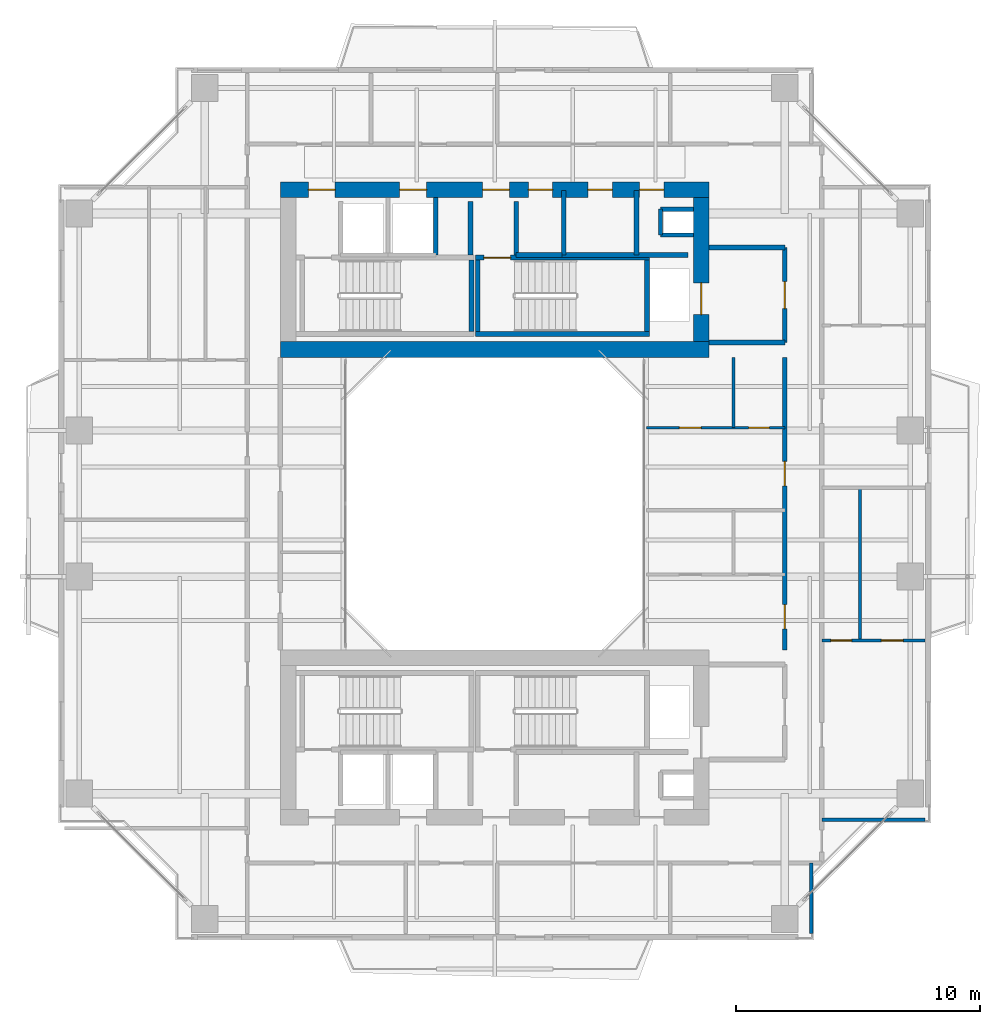
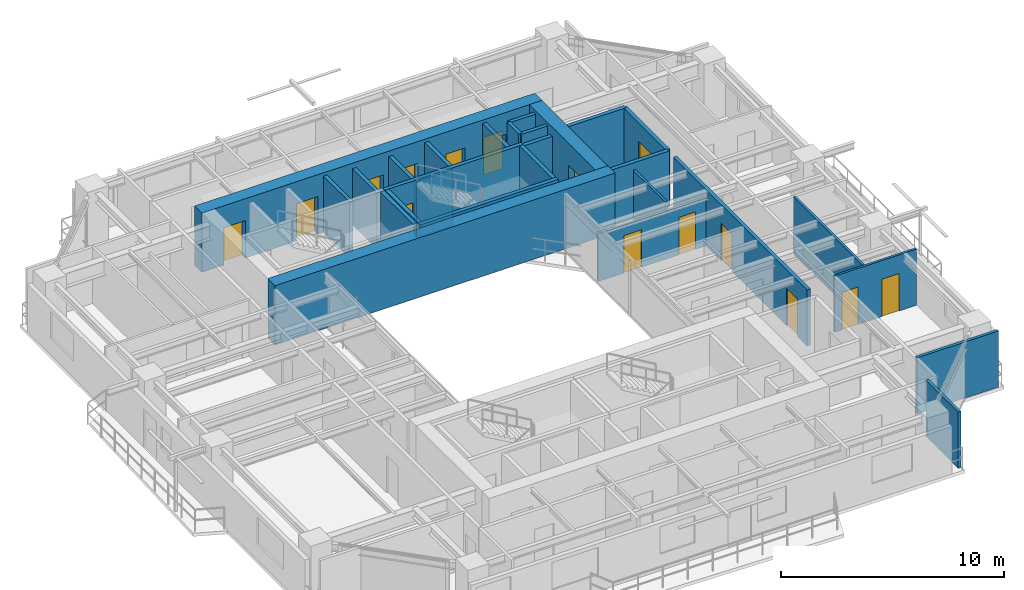
# One storey, part 12 of 17: 28 walls, 15 doors, 15 openings.
"""IFC4 building model written with IfcOpenShell, lengths in metres."""

from ifc_helpers import new_model, si_unit, direction, frame, frame_2d, origin, place, context, subcontext, project, spatial, rectangle, extrude, source, transform, mapped, material, layer, layer_set, type_object, element, fill, save


model = new_model("IFC4")

# Units and contexts
model_context = context("Model", 3, precision=1e-05, world=origin(), true_north=direction((0.0, 1.0)))
body_context = subcontext(model_context, "Body", "Model", "MODEL_VIEW")
ifc_project = project(units=[si_unit("LENGTHUNIT", "METRE"), si_unit("AREAUNIT", "SQUARE_METRE"), si_unit("VOLUMEUNIT", "CUBIC_METRE"), si_unit("PLANEANGLEUNIT", "RADIAN"), si_unit("MASSUNIT", "GRAM", prefix="KILO"), si_unit("THERMODYNAMICTEMPERATUREUNIT", "KELVIN"), si_unit("POWERUNIT", "WATT")], contexts=[model_context])

# Site, building, storey
site_placement = place(None, origin())
site = spatial("IfcSite", under=ifc_project, at=site_placement, CompositionType="ELEMENT")
building_placement = place(site_placement, origin())
building = spatial("IfcBuilding", under=site, at=building_placement, Name="Qiaomeng Ring Towers", CompositionType="ELEMENT")
storey_placement = place(building_placement, frame((0.0, 0.0, 116.5)))
storey = spatial("IfcBuildingStorey", under=building, at=storey_placement, Name="L33", CompositionType="ELEMENT", Elevation=116.5)

# Walls
ifc_material_1 = material(Name="Autoclaved aerated concrete block", Category="concrete")
ifc_layer_1 = layer(ifc_material_1, 0.199951171875, Name="Autoclaved aerated concrete block")
ifc_layer_set_1 = layer_set([ifc_layer_1], Name="Autoclaved aerated concrete block")
wall_type_1 = type_object("IfcWallType", Name="ARC-WL-PW1", PredefinedType="PARTITIONING", material=ifc_layer_set_1)
for number, where, z_axis, x_axis, name in (
    (1, (27.800048828125, 29.60009765625, 0.0), (0.0, 0.0, 1.0), (1.0, 0.0, 0.0), "L33 Interior Wall PW1"),
    (2, (27.800048828125, 33.5, 0.0), (0.0, 0.0, 1.0), (1.0, 0.0, 0.0), "L33 Interior Wall PW1"),
):
    element("IfcWall", number, at=place(storey_placement, frame(where, z_axis=z_axis, x_axis=x_axis)), inside=storey, type_object=wall_type_1, Name=name, PredefinedType="PARTITIONING", context=body_context, shape_type="SweptSolid", body=[
        extrude(rectangle(XDim=3.099853515625, YDim=0.199951171875, at=frame_2d((1.5498046875, 0.0))), origin(), (0.0, 0.0, 1.0), 3.070068359375),
    ])

# Wall, opening, door
wall_1_placement = place(storey_placement, frame((30.89990234375, 29.60009765625, 0.0), z_axis=(0.0, 0.0, 1.0), x_axis=(0.0, 1.0, 0.0)))
wall_1 = element("IfcWall", 3, at=wall_1_placement, inside=storey, type_object=wall_type_1, Name="L33 Interior Wall PW1", PredefinedType="PARTITIONING", context=body_context, shape_type="SweptSolid", body=[
    extrude(rectangle(XDim=3.89990234375, YDim=0.199951171875, at=frame_2d((1.949951171875, 0.0))), origin(), (0.0, 0.0, 1.0), 3.070068359375),
])
opening_1_placement = place(wall_1_placement, frame((1.39990234375, 0.0, 0.0)))
opening_1 = element("IfcOpeningElement", 4, at=opening_1_placement, cuts=wall_1, Name="Opening FD3", PredefinedType="OPENING", context=body_context, shape_type="SweptSolid", body=[
    extrude(rectangle(XDim=1.10009765625, YDim=2.050048828125, at=frame_2d((0.550048828125, 1.02490234375))), frame((0.0, 0.10986328125, 0.0), z_axis=(0.0, -1.0, 0.0), x_axis=(1.0, 0.0, 0.0)), (0.0, 0.0, 1.0), 0.219970703125),
])
ifc_material_2 = material(Name="Galvanised steel", Category="steel")
door_type_1 = type_object("IfcDoorType", Name="ARC-DR-FD3", OperationType="NOTDEFINED", PredefinedType="DOOR", material=ifc_material_2)
shared_shape_1 = source(origin(), body_context, "Body", "SweptSolid", [
    extrude(rectangle(XDim=1.10009765625, YDim=2.050048828125, at=frame_2d((0.550048828125, 1.02490234375))), frame((0.0, 0.02490234375, 0.0), z_axis=(0.0, -1.0, 0.0), x_axis=(1.0, 0.0, 0.0)), (0.0, 0.0, 1.0), 0.050048828125),
])
door_1_placement = place(opening_1_placement, origin())
door_1 = element("IfcDoor", 5, at=door_1_placement, inside=storey, type_object=door_type_1, Name="L33 North FF Lobby Door", OperationType="SINGLE_SWING_LEFT", OverallHeight=2.050048828125, OverallWidth=1.10009765625, PredefinedType="DOOR", context=body_context, shape_type="MappedRepresentation", body=[
    mapped(shared_shape_1, transform((0.0, 0.0, 0.0), x_axis=(1.0, 0.0, 0.0), y_axis=(0.0, 1.0, 0.0), z_axis=(0.0, 0.0, 1.0), scale=1.0)),
])
fill(opening_1, door_1)

# Walls
for number, where, z_axis, x_axis, name in (
    (6, (18.0, 33.18994140625, 0.0), (0.0, 0.0, 1.0), (0.0, 1.0, 0.0), "L33 Interior Wall PW1"),
    (7, (19.8798828125, 33.18994140625, 0.0), (0.0, 0.0, 1.0), (0.0, 1.0, 0.0), "L33 Interior Wall PW1"),
):
    element("IfcWall", number, at=place(storey_placement, frame(where, z_axis=z_axis, x_axis=x_axis)), inside=storey, type_object=wall_type_1, Name=name, PredefinedType="PARTITIONING", context=body_context, shape_type="SweptSolid", body=[
        extrude(rectangle(XDim=2.2099609375, YDim=0.199951171875, at=frame_2d((1.10498046875, 0.0))), origin(), (0.0, 0.0, 1.0), 3.070068359375),
    ])
wall_2_placement = place(storey_placement, frame((24.820068359375, 33.199951171875, 0.0), z_axis=(0.0, 0.0, 1.0), x_axis=(0.0, 1.0, 0.0)))
element("IfcWall", 8, at=wall_2_placement, inside=storey, type_object=wall_type_1, Name="L33 Interior Wall PW1", PredefinedType="PARTITIONING", context=body_context, shape_type="SweptSolid", body=[
    extrude(rectangle(XDim=2.650146484375, YDim=0.199951171875, at=frame_2d((1.3251953125, 0.0))), origin(), (0.0, 0.0, 1.0), 3.070068359375),
])
wall_3_placement = place(storey_placement, frame((19.8798828125, 33.199951171875, 0.0), z_axis=(0.0, 0.0, 1.0), x_axis=(1.0, 0.0, 0.0)))
element("IfcWall", 9, at=wall_3_placement, inside=storey, type_object=wall_type_1, Name="L33 Interior Wall PW1", PredefinedType="PARTITIONING", context=body_context, shape_type="SweptSolid", body=[
    extrude(rectangle(XDim=1.8701171875, YDim=0.199951171875, at=frame_2d((0.93505859375, 0.0))), origin(), (0.0, 0.0, 1.0), 3.070068359375),
])
wall_4_placement = place(storey_placement, frame((21.830078125, 33.199951171875, 0.0), z_axis=(0.0, 0.0, 1.0), x_axis=(0.0, 1.0, 0.0)))
element("IfcWall", 10, at=wall_4_placement, inside=storey, type_object=wall_type_1, Name="L33 Interior Wall PW1", PredefinedType="PARTITIONING", context=body_context, shape_type="SweptSolid", body=[
    extrude(rectangle(XDim=2.650146484375, YDim=0.199951171875, at=frame_2d((1.3251953125, 0.0))), origin(), (0.0, 0.0, 1.0), 3.070068359375),
])
wall_5_placement = place(storey_placement, frame((21.75, 33.199951171875, 0.0), z_axis=(0.0, 0.0, 1.0), x_axis=(1.0, 0.0, 0.0)))
element("IfcWall", 11, at=wall_5_placement, inside=storey, type_object=wall_type_1, Name="L33 Interior Wall PW1", PredefinedType="PARTITIONING", context=body_context, shape_type="SweptSolid", body=[
    extrude(rectangle(XDim=5.169921875, YDim=0.199951171875, at=frame_2d((2.5849609375, 0.0))), origin(), (0.0, 0.0, 1.0), 3.070068359375),
])

# Wall, openings, doors
ifc_layer_2 = layer(ifc_material_1, 0.179931640625, Name="Autoclaved aerated concrete block")
ifc_layer_set_2 = layer_set([ifc_layer_2], Name="Autoclaved aerated concrete block")
wall_type_2 = type_object("IfcWallType", Name="ARC-WL-PW2", PredefinedType="PARTITIONING", material=ifc_layer_set_2)
wall_6_placement = place(storey_placement, frame((30.89990234375, 17.0, 0.0), z_axis=(0.0, 0.0, 1.0), x_axis=(0.0, 1.0, 0.0)))
wall_6 = element("IfcWall", 12, at=wall_6_placement, inside=storey, type_object=wall_type_2, Name="L33 Interior Wall PW2", PredefinedType="PARTITIONING", context=body_context, shape_type="SweptSolid", body=[
    extrude(rectangle(XDim=12.0, YDim=0.179931640625, at=frame_2d((6.0, 0.0))), origin(), (0.0, 0.0, 1.0), 3.070068359375),
])
opening_2_placement = place(wall_6_placement, frame((0.85498046875, 0.0, 0.0)))
opening_2 = element("IfcOpeningElement", 13, at=opening_2_placement, cuts=wall_6, Name="Opening FD4", PredefinedType="OPENING", context=body_context, shape_type="SweptSolid", body=[
    extrude(rectangle(XDim=1.0, YDim=2.050048828125, at=frame_2d((0.5, 1.02490234375))), frame((0.0, 0.099853515625, 0.0), z_axis=(0.0, -1.0, 0.0), x_axis=(1.0, 0.0, 0.0)), (0.0, 0.0, 1.0), 0.199951171875),
])
opening_3_placement = place(wall_6_placement, frame((6.72509765625, 0.0, 0.0)))
opening_3 = element("IfcOpeningElement", 14, at=opening_3_placement, cuts=wall_6, Name="Opening FD4", PredefinedType="OPENING", context=body_context, shape_type="SweptSolid", body=[
    extrude(rectangle(XDim=1.0, YDim=2.050048828125, at=frame_2d((0.5, 1.02490234375))), frame((0.0, 0.099853515625, 0.0), z_axis=(0.0, -1.0, 0.0), x_axis=(1.0, 0.0, 0.0)), (0.0, 0.0, 1.0), 0.199951171875),
])
ifc_material_3 = material(Name="Engineered fire-rated oak timber", Category="wood")
door_type_2 = type_object("IfcDoorType", Name="ARC-DR-FD4", OperationType="NOTDEFINED", PredefinedType="DOOR", material=ifc_material_3)
shared_shape_2 = source(origin(), body_context, "Body", "SweptSolid", [
    extrude(rectangle(XDim=1.0, YDim=2.050048828125, at=frame_2d((0.5, 1.02490234375))), frame((0.0, 0.02490234375, 0.0), z_axis=(0.0, -1.0, 0.0), x_axis=(1.0, 0.0, 0.0)), (0.0, 0.0, 1.0), 0.050048828125),
])
door_2_placement = place(opening_2_placement, origin())
door_2 = element("IfcDoor", 15, at=door_2_placement, inside=storey, type_object=door_type_2, Name="L33 Door FD4", OperationType="SINGLE_SWING_LEFT", OverallHeight=2.050048828125, OverallWidth=1.0, PredefinedType="DOOR", context=body_context, shape_type="MappedRepresentation", body=[
    mapped(shared_shape_2, transform((0.0, 0.0, 0.0), x_axis=(1.0, 0.0, 0.0), y_axis=(0.0, 1.0, 0.0), z_axis=(0.0, 0.0, 1.0), scale=1.0)),
])
fill(opening_2, door_2)
door_3_placement = place(opening_3_placement, origin())
door_3 = element("IfcDoor", 16, at=door_3_placement, inside=storey, type_object=door_type_2, Name="L33 Door FD4", OperationType="SINGLE_SWING_RIGHT", OverallHeight=2.050048828125, OverallWidth=1.0, PredefinedType="DOOR", context=body_context, shape_type="MappedRepresentation", body=[
    mapped(shared_shape_2, transform((0.0, 0.0, 0.0), x_axis=(1.0, 0.0, 0.0), y_axis=(0.0, 1.0, 0.0), z_axis=(0.0, 0.0, 1.0), scale=1.0)),
])
fill(opening_3, door_3)

# Walls
ifc_material_4 = material(Name="Gypsum fireboard steel-stud partition", Category="steel")
ifc_layer_3 = layer(ifc_material_4, 0.14990234375, Name="Gypsum fireboard steel-stud partition")
ifc_layer_set_3 = layer_set([ifc_layer_3], Name="Gypsum fireboard steel-stud partition")
wall_type_3 = type_object("IfcWallType", Name="ARC-WL-PW3", PredefinedType="PARTITIONING", material=ifc_layer_set_3)
wall_7_placement = place(storey_placement, frame((31.97998046875, 5.35009765625, 0.0), z_axis=(0.0, 0.0, 1.0), x_axis=(0.0, 1.0, 0.0)))
element("IfcWall", 17, at=wall_7_placement, inside=storey, type_object=wall_type_3, Name="L33 Interior Wall PW3", PredefinedType="PARTITIONING", context=body_context, shape_type="SweptSolid", body=[
    extrude(rectangle(XDim=2.89990234375, YDim=0.14990234375, at=frame_2d((1.449951171875, 0.0))), origin(), (0.0, 0.0, 1.0), 3.070068359375),
])
wall_8_placement = place(storey_placement, frame((32.419921875, 10.02001953125, 0.0), z_axis=(0.0, 0.0, 1.0), x_axis=(1.0, 0.0, 0.0)))
element("IfcWall", 18, at=wall_8_placement, inside=storey, type_object=wall_type_3, Name="L33 Interior Wall PW3", PredefinedType="PARTITIONING", context=body_context, shape_type="SweptSolid", body=[
    extrude(rectangle(XDim=4.22998046875, YDim=0.14990234375, at=frame_2d((2.114990234375, 0.0))), origin(), (0.0, 0.0, 1.0), 3.070068359375),
])

# Wall, openings, doors
ifc_material_5 = material(Name="Moisture-resistant gypsum steel-stud partition", Category="steel")
ifc_layer_4 = layer(ifc_material_5, 0.1201171875, Name="Moisture-resistant gypsum steel-stud partition")
ifc_layer_set_4 = layer_set([ifc_layer_4], Name="Moisture-resistant gypsum steel-stud partition")
wall_type_4 = type_object("IfcWallType", Name="ARC-WL-PW4", PredefinedType="PLUMBINGWALL", material=ifc_layer_set_4)
wall_9_placement = place(storey_placement, frame((32.419921875, 17.3798828125, 0.0), z_axis=(0.0, 0.0, 1.0), x_axis=(1.0, 0.0, 0.0)))
wall_9 = element("IfcWall", 19, at=wall_9_placement, inside=storey, type_object=wall_type_4, Name="L33 Interior Wall PW4", PredefinedType="PLUMBINGWALL", context=body_context, shape_type="SweptSolid", body=[
    extrude(rectangle(XDim=4.22998046875, YDim=0.1201171875, at=frame_2d((2.114990234375, 0.0))), origin(), (0.0, 0.0, 1.0), 3.070068359375),
])
opening_4_placement = place(wall_9_placement, frame((0.3701171875, 0.0, 0.0)))
opening_4 = element("IfcOpeningElement", 20, at=opening_4_placement, cuts=wall_9, Name="Opening ID2", PredefinedType="OPENING", context=body_context, shape_type="SweptSolid", body=[
    extrude(rectangle(XDim=0.85009765625, YDim=2.050048828125, at=frame_2d((0.425048828125, 1.02490234375))), frame((0.0, 0.070068359375, 0.0), z_axis=(0.0, -1.0, 0.0), x_axis=(1.0, 0.0, 0.0)), (0.0, 0.0, 1.0), 0.14013671875),
])
opening_5_placement = place(wall_9_placement, frame((2.43994140625, 0.0, 0.0)))
opening_5 = element("IfcOpeningElement", 21, at=opening_5_placement, cuts=wall_9, Name="Opening ID1", PredefinedType="OPENING", context=body_context, shape_type="SweptSolid", body=[
    extrude(rectangle(XDim=0.89990234375, YDim=2.050048828125, at=frame_2d((0.449951171875, 1.02490234375))), frame((0.0, 0.070068359375, 0.0), z_axis=(0.0, -1.0, 0.0), x_axis=(1.0, 0.0, 0.0)), (0.0, 0.0, 1.0), 0.14013671875),
])
ifc_material_6 = material(Name="Moisture-resistant engineered timber", Category="wood")
door_type_3 = type_object("IfcDoorType", Name="ARC-DR-ID2", OperationType="NOTDEFINED", PredefinedType="DOOR", material=ifc_material_6)
shared_shape_3 = source(origin(), body_context, "Body", "SweptSolid", [
    extrude(rectangle(XDim=0.85009765625, YDim=2.050048828125, at=frame_2d((0.425048828125, 1.02490234375))), frame((0.0, 0.02490234375, 0.0), z_axis=(0.0, -1.0, 0.0), x_axis=(1.0, 0.0, 0.0)), (0.0, 0.0, 1.0), 0.050048828125),
])
door_4_placement = place(opening_4_placement, origin())
door_4 = element("IfcDoor", 22, at=door_4_placement, inside=storey, type_object=door_type_3, Name="L33 Door ID2", OperationType="SINGLE_SWING_LEFT", OverallHeight=2.050048828125, OverallWidth=0.85009765625, PredefinedType="DOOR", context=body_context, shape_type="MappedRepresentation", body=[
    mapped(shared_shape_3, transform((0.0, 0.0, 0.0), x_axis=(1.0, 0.0, 0.0), y_axis=(0.0, 1.0, 0.0), z_axis=(0.0, 0.0, 1.0), scale=1.0)),
])
fill(opening_4, door_4)
ifc_material_7 = material(Name="Engineered oak timber", Category="wood")
door_type_4 = type_object("IfcDoorType", Name="ARC-DR-ID1", OperationType="NOTDEFINED", PredefinedType="DOOR", material=ifc_material_7)
shared_shape_4 = source(origin(), body_context, "Body", "SweptSolid", [
    extrude(rectangle(XDim=0.89990234375, YDim=2.050048828125, at=frame_2d((0.449951171875, 1.02490234375))), frame((0.0, 0.02490234375, 0.0), z_axis=(0.0, -1.0, 0.0), x_axis=(1.0, 0.0, 0.0)), (0.0, 0.0, 1.0), 0.050048828125),
])
door_5_placement = place(opening_5_placement, origin())
door_5 = element("IfcDoor", 23, at=door_5_placement, inside=storey, type_object=door_type_4, Name="L33 Door ID1", OperationType="SINGLE_SWING_RIGHT", OverallHeight=2.050048828125, OverallWidth=0.89990234375, PredefinedType="DOOR", context=body_context, shape_type="MappedRepresentation", body=[
    mapped(shared_shape_4, transform((0.0, 0.0, 0.0), x_axis=(1.0, 0.0, 0.0), y_axis=(0.0, 1.0, 0.0), z_axis=(0.0, 0.0, 1.0), scale=1.0)),
])
fill(opening_5, door_5)

# Wall
wall_10_placement = place(storey_placement, frame((33.989990234375, 17.3798828125, 0.0), z_axis=(0.0, 0.0, 1.0), x_axis=(0.0, 1.0, 0.0)))
element("IfcWall", 24, at=wall_10_placement, inside=storey, type_object=wall_type_4, Name="L33 Interior Wall PW4", PredefinedType="PLUMBINGWALL", context=body_context, shape_type="SweptSolid", body=[
    extrude(rectangle(XDim=6.27001953125, YDim=0.1201171875, at=frame_2d((3.135009765625, 0.0))), origin(), (0.0, 0.0, 1.0), 3.070068359375),
])

# Wall, openings, doors
wall_11_placement = place(storey_placement, frame((25.219970703125, 26.110107421875, 0.0), z_axis=(0.0, 0.0, 1.0), x_axis=(1.0, 0.0, 0.0)))
wall_11 = element("IfcWall", 25, at=wall_11_placement, inside=storey, type_object=wall_type_4, Name="L33 Interior Wall PW4", PredefinedType="PLUMBINGWALL", context=body_context, shape_type="SweptSolid", body=[
    extrude(rectangle(XDim=5.679931640625, YDim=0.1201171875, at=frame_2d((2.83984375, 0.0))), origin(), (0.0, 0.0, 1.0), 2.625),
])
opening_6_placement = place(wall_11_placement, frame((1.35009765625, 0.0, 0.0)))
opening_6 = element("IfcOpeningElement", 26, at=opening_6_placement, cuts=wall_11, Name="Opening ID1", PredefinedType="OPENING", context=body_context, shape_type="SweptSolid", body=[
    extrude(rectangle(XDim=0.89990234375, YDim=2.050048828125, at=frame_2d((0.449951171875, 1.02490234375))), frame((0.0, 0.070068359375, 0.0), z_axis=(0.0, -1.0, 0.0), x_axis=(1.0, 0.0, 0.0)), (0.0, 0.0, 1.0), 0.14013671875),
])
opening_7_placement = place(wall_11_placement, frame((4.195068359375, 0.0, 0.0)))
opening_7 = element("IfcOpeningElement", 27, at=opening_7_placement, cuts=wall_11, Name="Opening ID2", PredefinedType="OPENING", context=body_context, shape_type="SweptSolid", body=[
    extrude(rectangle(XDim=0.85009765625, YDim=2.050048828125, at=frame_2d((0.425048828125, 1.02490234375))), frame((0.0, 0.070068359375, 0.0), z_axis=(0.0, -1.0, 0.0), x_axis=(1.0, 0.0, 0.0)), (0.0, 0.0, 1.0), 0.14013671875),
])
door_6_placement = place(opening_7_placement, origin())
door_6 = element("IfcDoor", 28, at=door_6_placement, inside=storey, type_object=door_type_3, Name="L33 Door ID2", OperationType="SINGLE_SWING_RIGHT", OverallHeight=2.050048828125, OverallWidth=0.85009765625, PredefinedType="DOOR", context=body_context, shape_type="MappedRepresentation", body=[
    mapped(shared_shape_3, transform((0.0, 0.0, 0.0), x_axis=(1.0, 0.0, 0.0), y_axis=(0.0, 1.0, 0.0), z_axis=(0.0, 0.0, 1.0), scale=1.0)),
])
fill(opening_7, door_6)
door_7_placement = place(opening_6_placement, origin())
door_7 = element("IfcDoor", 29, at=door_7_placement, inside=storey, type_object=door_type_4, Name="L33 Door ID1", OperationType="SINGLE_SWING_LEFT", OverallHeight=2.050048828125, OverallWidth=0.89990234375, PredefinedType="DOOR", context=body_context, shape_type="MappedRepresentation", body=[
    mapped(shared_shape_4, transform((0.0, 0.0, 0.0), x_axis=(1.0, 0.0, 0.0), y_axis=(0.0, 1.0, 0.0), z_axis=(0.0, 0.0, 1.0), scale=1.0)),
])
fill(opening_6, door_7)

# Walls
wall_12_placement = place(storey_placement, frame((28.800048828125, 26.110107421875, 0.0), z_axis=(0.0, 0.0, 1.0), x_axis=(0.0, 1.0, 0.0)))
element("IfcWall", 30, at=wall_12_placement, inside=storey, type_object=wall_type_4, Name="L33 Interior Wall PW4", PredefinedType="PLUMBINGWALL", context=body_context, shape_type="SweptSolid", body=[
    extrude(rectangle(XDim=2.889892578125, YDim=0.1201171875, at=frame_2d((1.44482421875, 0.0))), origin(), (0.0, 0.0, 1.0), 3.070068359375),
])
ifc_material_8 = material(Name="Concrete C40", Category="concrete")
ifc_layer_5 = layer(ifc_material_8, 0.199951171875, Name="Concrete C40")
ifc_layer_set_5 = layer_set([ifc_layer_5], Name="Concrete C40")
wall_type_5 = type_object("IfcWallType", Name="STR-WL-STSHAFT", PredefinedType="SHEAR", material=ifc_layer_set_5)
wall_13_placement = place(storey_placement, frame((25.800048828125, 34.02001953125, 0.0), z_axis=(0.0, 0.0, 1.0), x_axis=(0.0, 1.0, 0.0)))
element("IfcWall", 31, at=wall_13_placement, inside=storey, type_object=wall_type_5, Name="L33 Riser RSR1 West Shaft Wall N", PredefinedType="SHEAR", context=body_context, shape_type="SweptSolid", body=[
    extrude(rectangle(XDim=1.06005859375, YDim=0.179931640625, at=frame_2d((0.530029296875, 0.0))), origin(), (0.0, 0.0, 1.0), 3.070068359375),
])
for number, where, z_axis, x_axis, name in (
    (32, (25.800048828125, 35.080078125, 0.0), (0.0, 0.0, 1.0), (1.0, 0.0, 0.0), "L33 Riser RSR1 North Shaft Wall N"),
    (33, (25.800048828125, 34.02001953125, 0.0), (0.0, 0.0, 1.0), (1.0, 0.0, 0.0), "L33 Riser RSR1 South Shaft Wall N"),
):
    element("IfcWall", number, at=place(storey_placement, frame(where, z_axis=z_axis, x_axis=x_axis)), inside=storey, type_object=wall_type_5, Name=name, PredefinedType="SHEAR", context=body_context, shape_type="SweptSolid", body=[
        extrude(rectangle(XDim=1.349853515625, YDim=0.179931640625, at=frame_2d((0.6748046875, 0.0))), origin(), (0.0, 0.0, 1.0), 3.070068359375),
    ])
wall_14_placement = place(storey_placement, frame((16.580078125, 33.199951171875, 0.0), z_axis=(0.0, 0.0, 1.0), x_axis=(0.0, 1.0, 0.0)))
element("IfcWall", 34, at=wall_14_placement, inside=storey, type_object=wall_type_5, Name="L33 Lift LP3 East Shaft Wall", PredefinedType="SHEAR", context=body_context, shape_type="SweptSolid", body=[
    extrude(rectangle(XDim=2.35009765625, YDim=0.179931640625, at=frame_2d((1.175048828125, 0.0))), origin(), (0.0, 0.0, 1.0), 3.070068359375),
])
wall_15_placement = place(storey_placement, frame((18.050048828125, 30.050048828125, 0.0), z_axis=(0.0, 0.0, 1.0), x_axis=(0.0, 1.0, 0.0)))
element("IfcWall", 35, at=wall_15_placement, inside=storey, type_object=wall_type_5, Name="L33 Stair ST1 East Shaft Shear Wall", PredefinedType="SHEAR", context=body_context, shape_type="SweptSolid", body=[
    extrude(rectangle(XDim=2.93994140625, YDim=0.199951171875, at=frame_2d((1.469970703125, 0.0))), origin(), (0.0, 0.0, 1.0), 3.25),
])
wall_16_placement = place(storey_placement, frame((18.199951171875, 29.949951171875, 0.0), z_axis=(0.0, 0.0, 1.0), x_axis=(1.0, 0.0, 0.0)))
element("IfcWall", 36, at=wall_16_placement, inside=storey, type_object=wall_type_5, Name="L33 Stair ST2 South Shaft Shear Wall", PredefinedType="SHEAR", context=body_context, shape_type="SweptSolid", body=[
    extrude(rectangle(XDim=7.150146484375, YDim=0.199951171875, at=frame_2d((3.5751953125, 0.0))), origin(), (0.0, 0.0, 1.0), 3.25),
])

# Wall, opening, door
wall_17_placement = place(storey_placement, frame((18.199951171875, 33.090087890625, 0.0), z_axis=(0.0, 0.0, 1.0), x_axis=(1.0, 0.0, 0.0)))
wall_17 = element("IfcWall", 37, at=wall_17_placement, inside=storey, type_object=wall_type_5, Name="L33 Stair ST2 North Shaft Shear Wall", PredefinedType="SHEAR", context=body_context, shape_type="SweptSolid", body=[
    extrude(rectangle(XDim=7.150146484375, YDim=0.199951171875, at=frame_2d((3.5751953125, 0.0))), origin(), (0.0, 0.0, 1.0), 3.25),
])
opening_8_placement = place(wall_17_placement, frame((0.35009765625, 0.0, 0.0)))
opening_8 = element("IfcOpeningElement", 38, at=opening_8_placement, cuts=wall_17, Name="Opening FD3", PredefinedType="OPENING", context=body_context, shape_type="SweptSolid", body=[
    extrude(rectangle(XDim=1.10009765625, YDim=2.050048828125, at=frame_2d((0.550048828125, 1.02490234375))), frame((0.0, 0.10986328125, 0.0), z_axis=(0.0, -1.0, 0.0), x_axis=(1.0, 0.0, 0.0)), (0.0, 0.0, 1.0), 0.219970703125),
])
door_8_placement = place(opening_8_placement, origin())
door_8 = element("IfcDoor", 39, at=door_8_placement, inside=storey, type_object=door_type_1, Name="L33 Stair ST2 Exit Door", OperationType="SINGLE_SWING_RIGHT", OverallHeight=2.050048828125, OverallWidth=1.10009765625, PredefinedType="DOOR", context=body_context, shape_type="MappedRepresentation", body=[
    mapped(shared_shape_1, transform((0.0, 0.0, 0.0), x_axis=(1.0, 0.0, 0.0), y_axis=(0.0, 1.0, 0.0), z_axis=(0.0, 0.0, 1.0), scale=1.0)),
])
fill(opening_8, door_8)

# Walls
for number, where, z_axis, x_axis, name in (
    (40, (18.300048828125, 30.050048828125, 0.0), (0.0, 0.0, 1.0), (0.0, 1.0, 0.0), "L33 Stair ST2 West Shaft Shear Wall"),
    (41, (25.25, 30.050048828125, 0.0), (0.0, 0.0, 1.0), (0.0, 1.0, 0.0), "L33 Stair ST2 East Shaft Shear Wall"),
):
    element("IfcWall", number, at=place(storey_placement, frame(where, z_axis=z_axis, x_axis=x_axis)), inside=storey, type_object=wall_type_5, Name=name, PredefinedType="SHEAR", context=body_context, shape_type="SweptSolid", body=[
        extrude(rectangle(XDim=2.93994140625, YDim=0.199951171875, at=frame_2d((1.469970703125, 0.0))), origin(), (0.0, 0.0, 1.0), 3.25),
    ])
ifc_material_9 = material(Name="Concrete C55", Category="concrete")
ifc_layer_6 = layer(ifc_material_9, 0.64990234375, Name="Concrete C55")
ifc_layer_set_6 = layer_set([ifc_layer_6], Name="Concrete C55")
wall_type_6 = type_object("IfcWallType", Name="STR-WL-SW2A", PredefinedType="SHEAR", material=ifc_layer_set_6)
wall_18_placement = place(storey_placement, frame((10.199951171875, 29.324951171875, 0.0), z_axis=(0.0, 0.0, 1.0), x_axis=(1.0, 0.0, 0.0)))
element("IfcWall", 42, at=wall_18_placement, inside=storey, type_object=wall_type_6, Name="L33 T1NC south core shear wall", PredefinedType="SHEAR", context=body_context, shape_type="SweptSolid", body=[
    extrude(rectangle(XDim=17.60009765625, YDim=0.64990234375, at=frame_2d((8.800048828125, 0.0))), origin(), (0.0, 0.0, 1.0), 3.25),
])

# Wall, openings, doors
wall_19_placement = place(storey_placement, frame((10.199951171875, 35.875, 0.0), z_axis=(0.0, 0.0, 1.0), x_axis=(1.0, 0.0, 0.0)))
wall_19 = element("IfcWall", 43, at=wall_19_placement, inside=storey, type_object=wall_type_6, Name="L33 T1NC north core shear wall", PredefinedType="SHEAR", context=body_context, shape_type="SweptSolid", body=[
    extrude(rectangle(XDim=17.60009765625, YDim=0.64990234375, at=frame_2d((8.800048828125, 0.0))), origin(), (0.0, 0.0, 1.0), 3.25),
])
opening_9_placement = place(wall_19_placement, frame((1.14990234375, 0.0, 0.0)))
opening_9 = element("IfcOpeningElement", 44, at=opening_9_placement, cuts=wall_19, Name="Opening FD3", PredefinedType="OPENING", context=body_context, shape_type="SweptSolid", body=[
    extrude(rectangle(XDim=1.10009765625, YDim=2.050048828125, at=frame_2d((0.550048828125, 1.02490234375))), frame((0.0, 0.3349609375, 0.0), z_axis=(0.0, -1.0, 0.0), x_axis=(1.0, 0.0, 0.0)), (0.0, 0.0, 1.0), 0.669921875),
])
opening_10_placement = place(wall_19_placement, frame((8.300048828125, 0.0, 0.0)))
opening_10 = element("IfcOpeningElement", 45, at=opening_10_placement, cuts=wall_19, Name="Opening FD3", PredefinedType="OPENING", context=body_context, shape_type="SweptSolid", body=[
    extrude(rectangle(XDim=1.10009765625, YDim=2.050048828125, at=frame_2d((0.550048828125, 1.02490234375))), frame((0.0, 0.3349609375, 0.0), z_axis=(0.0, -1.0, 0.0), x_axis=(1.0, 0.0, 0.0)), (0.0, 0.0, 1.0), 0.669921875),
])
opening_11_placement = place(wall_19_placement, frame((4.89990234375, 0.0, 0.0)))
opening_11 = element("IfcOpeningElement", 46, at=opening_11_placement, cuts=wall_19, Name="Opening LD1", PredefinedType="OPENING", context=body_context, shape_type="SweptSolid", body=[
    extrude(rectangle(XDim=1.10009765625, YDim=2.050048828125, at=frame_2d((0.550048828125, 1.02490234375))), frame((0.0, 0.3349609375, 0.0), z_axis=(0.0, -1.0, 0.0), x_axis=(1.0, 0.0, 0.0)), (0.0, 0.0, 1.0), 0.669921875),
])
opening_12_placement = place(wall_19_placement, frame((14.739990234375, 0.0, 0.0)))
opening_12 = element("IfcOpeningElement", 47, at=opening_12_placement, cuts=wall_19, Name="Opening FD1", PredefinedType="OPENING", context=body_context, shape_type="SweptSolid", body=[
    extrude(rectangle(XDim=1.0, YDim=2.050048828125, at=frame_2d((0.5, 1.02490234375))), frame((0.0, 0.3349609375, 0.0), z_axis=(0.0, -1.0, 0.0), x_axis=(1.0, 0.0, 0.0)), (0.0, 0.0, 1.0), 0.669921875),
])
opening_13_placement = place(wall_19_placement, frame((10.175048828125, 0.0, 0.0)))
opening_13 = element("IfcOpeningElement", 48, at=opening_13_placement, cuts=wall_19, Name="Opening FD1", PredefinedType="OPENING", context=body_context, shape_type="SweptSolid", body=[
    extrude(rectangle(XDim=1.0, YDim=2.050048828125, at=frame_2d((0.5, 1.02490234375))), frame((0.0, 0.3349609375, 0.0), z_axis=(0.0, -1.0, 0.0), x_axis=(1.0, 0.0, 0.0)), (0.0, 0.0, 1.0), 0.669921875),
])
opening_14_placement = place(wall_19_placement, frame((12.625, 0.0, 0.0)))
opening_14 = element("IfcOpeningElement", 49, at=opening_14_placement, cuts=wall_19, Name="Opening FD1", PredefinedType="OPENING", context=body_context, shape_type="SweptSolid", body=[
    extrude(rectangle(XDim=1.0, YDim=2.050048828125, at=frame_2d((0.5, 1.02490234375))), frame((0.0, 0.3349609375, 0.0), z_axis=(0.0, -1.0, 0.0), x_axis=(1.0, 0.0, 0.0)), (0.0, 0.0, 1.0), 0.669921875),
])
door_9_placement = place(opening_9_placement, origin())
door_9 = element("IfcDoor", 50, at=door_9_placement, inside=storey, type_object=door_type_1, Name="L33 Stair ST1 Lobby Door", OperationType="SINGLE_SWING_LEFT", OverallHeight=2.050048828125, OverallWidth=1.10009765625, PredefinedType="DOOR", context=body_context, shape_type="MappedRepresentation", body=[
    mapped(shared_shape_1, transform((0.0, 0.0, 0.0), x_axis=(1.0, 0.0, 0.0), y_axis=(0.0, 1.0, 0.0), z_axis=(0.0, 0.0, 1.0), scale=1.0)),
])
fill(opening_9, door_9)
door_10_placement = place(opening_10_placement, origin())
door_10 = element("IfcDoor", 51, at=door_10_placement, inside=storey, type_object=door_type_1, Name="L33 Stair ST2 Lobby Door", OperationType="SINGLE_SWING_LEFT", OverallHeight=2.050048828125, OverallWidth=1.10009765625, PredefinedType="DOOR", context=body_context, shape_type="MappedRepresentation", body=[
    mapped(shared_shape_1, transform((0.0, 0.0, 0.0), x_axis=(1.0, 0.0, 0.0), y_axis=(0.0, 1.0, 0.0), z_axis=(0.0, 0.0, 1.0), scale=1.0)),
])
fill(opening_10, door_10)
ifc_material_10 = material(Name="Stainless steel 316", Category="steel")
door_type_5 = type_object("IfcDoorType", Name="ARC-DR-LD1", OperationType="NOTDEFINED", PredefinedType="DOOR", material=ifc_material_10)
door_11_placement = place(opening_11_placement, origin())
door_11 = element("IfcDoor", 52, at=door_11_placement, inside=storey, type_object=door_type_5, Name="L33 Mid-Zone Lift LP3 Landing Door", OperationType="SLIDING_TO_LEFT", OverallHeight=2.050048828125, OverallWidth=1.10009765625, PredefinedType="DOOR", context=body_context, shape_type="MappedRepresentation", body=[
    mapped(shared_shape_1, transform((0.0, 0.0, 0.0), x_axis=(1.0, 0.0, 0.0), y_axis=(0.0, 1.0, 0.0), z_axis=(0.0, 0.0, 1.0), scale=1.0)),
])
fill(opening_11, door_11)
door_type_6 = type_object("IfcDoorType", Name="ARC-DR-FD1", OperationType="NOTDEFINED", PredefinedType="DOOR", material=ifc_material_2)
door_12_placement = place(opening_12_placement, origin())
door_12 = element("IfcDoor", 53, at=door_12_placement, inside=storey, type_object=door_type_6, Name="L33 North Electrical Riser Door", OperationType="SINGLE_SWING_LEFT", OverallHeight=2.050048828125, OverallWidth=1.0, PredefinedType="DOOR", context=body_context, shape_type="MappedRepresentation", body=[
    mapped(shared_shape_2, transform((0.0, 0.0, 0.0), x_axis=(1.0, 0.0, 0.0), y_axis=(0.0, 1.0, 0.0), z_axis=(0.0, 0.0, 1.0), scale=1.0)),
])
fill(opening_12, door_12)
door_13_placement = place(opening_13_placement, origin())
door_13 = element("IfcDoor", 54, at=door_13_placement, inside=storey, type_object=door_type_6, Name="L33 North Cleaners Store Door", OperationType="SINGLE_SWING_LEFT", OverallHeight=2.050048828125, OverallWidth=1.0, PredefinedType="DOOR", context=body_context, shape_type="MappedRepresentation", body=[
    mapped(shared_shape_2, transform((0.0, 0.0, 0.0), x_axis=(1.0, 0.0, 0.0), y_axis=(0.0, 1.0, 0.0), z_axis=(0.0, 0.0, 1.0), scale=1.0)),
])
fill(opening_13, door_13)
door_14_placement = place(opening_14_placement, origin())
door_14 = element("IfcDoor", 55, at=door_14_placement, inside=storey, type_object=door_type_6, Name="L33 North Telemetry Office Door", OperationType="SINGLE_SWING_RIGHT", OverallHeight=2.050048828125, OverallWidth=1.0, PredefinedType="DOOR", context=body_context, shape_type="MappedRepresentation", body=[
    mapped(shared_shape_2, transform((0.0, 0.0, 0.0), x_axis=(1.0, 0.0, 0.0), y_axis=(0.0, 1.0, 0.0), z_axis=(0.0, 0.0, 1.0), scale=1.0)),
])
fill(opening_14, door_14)

# Wall, opening, door
wall_20_placement = place(storey_placement, frame((27.47509765625, 29.64990234375, 0.0), z_axis=(0.0, 0.0, 1.0), x_axis=(0.0, 1.0, 0.0)))
wall_20 = element("IfcWall", 56, at=wall_20_placement, inside=storey, type_object=wall_type_6, Name="L33 T1NC east core shear wall", PredefinedType="SHEAR", context=body_context, shape_type="SweptSolid", body=[
    extrude(rectangle(XDim=5.900146484375, YDim=0.64990234375, at=frame_2d((2.9501953125, 0.0))), origin(), (0.0, 0.0, 1.0), 3.25),
])
opening_15_placement = place(wall_20_placement, frame((1.10009765625, 0.0, 0.0)))
opening_15 = element("IfcOpeningElement", 57, at=opening_15_placement, cuts=wall_20, Name="Opening LD2", PredefinedType="OPENING", context=body_context, shape_type="SweptSolid", body=[
    extrude(rectangle(XDim=1.300048828125, YDim=2.050048828125, at=frame_2d((0.64990234375, 1.02490234375))), frame((0.0, 0.3349609375, 0.0), z_axis=(0.0, -1.0, 0.0), x_axis=(1.0, 0.0, 0.0)), (0.0, 0.0, 1.0), 0.669921875),
])
door_type_7 = type_object("IfcDoorType", Name="ARC-DR-LD2", OperationType="NOTDEFINED", PredefinedType="DOOR", material=ifc_material_10)
shared_shape_5 = source(origin(), body_context, "Body", "SweptSolid", [
    extrude(rectangle(XDim=1.300048828125, YDim=2.050048828125, at=frame_2d((0.64990234375, 1.02490234375))), frame((0.0, 0.02490234375, 0.0), z_axis=(0.0, -1.0, 0.0), x_axis=(1.0, 0.0, 0.0)), (0.0, 0.0, 1.0), 0.050048828125),
])
door_15_placement = place(opening_15_placement, origin())
door_15 = element("IfcDoor", 58, at=door_15_placement, inside=storey, type_object=door_type_7, Name="L33 Firefighting Lift FL1 Landing Door", OperationType="SLIDING_TO_LEFT", OverallHeight=2.050048828125, OverallWidth=1.300048828125, PredefinedType="DOOR", context=body_context, shape_type="MappedRepresentation", body=[
    mapped(shared_shape_5, transform((0.0, 0.0, 0.0), x_axis=(1.0, 0.0, 0.0), y_axis=(0.0, 1.0, 0.0), z_axis=(0.0, 0.0, 1.0), scale=1.0)),
])
fill(opening_15, door_15)

save(model, "model.ifc")
